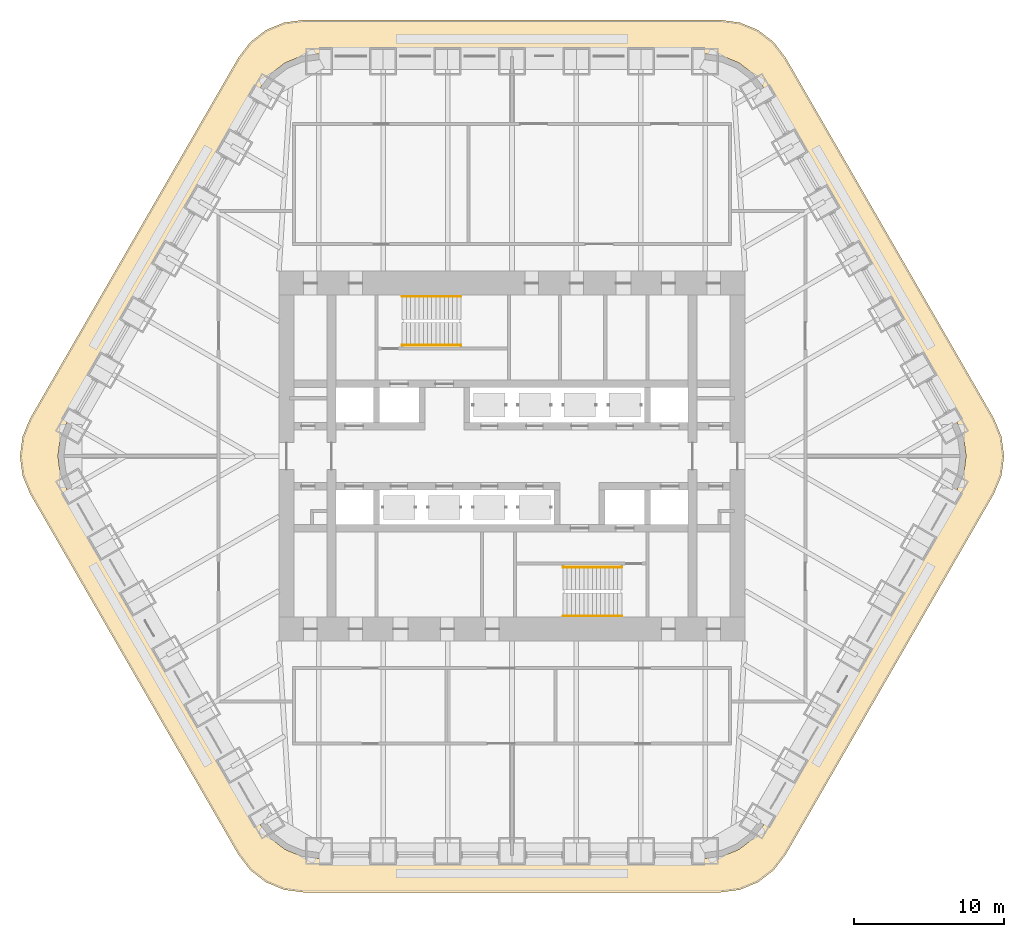
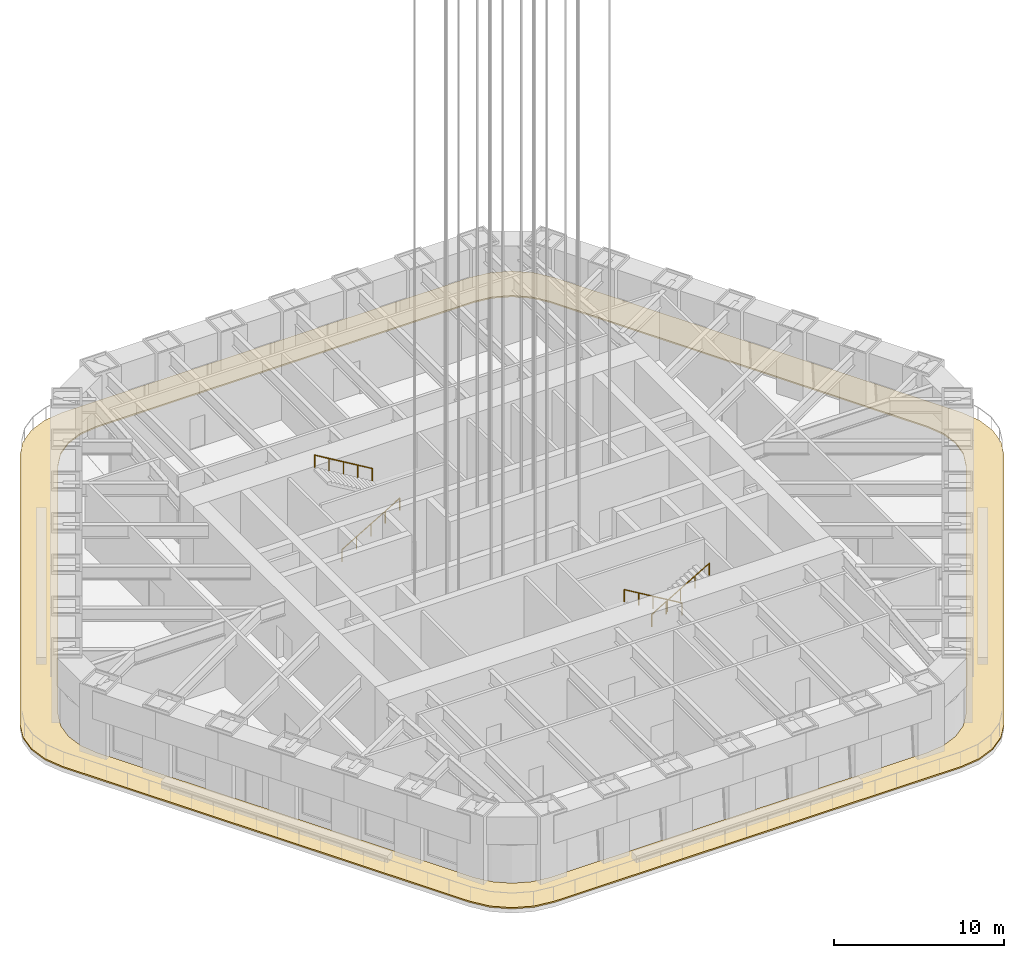
# One storey, part 12 of 14: 4 railings, 1 covering.
"""IFC4 building model written with IfcOpenShell, lengths in metres."""

from ifc_helpers import new_model, si_unit, direction, frame, origin, origin_2d, place, context, subcontext, project, spatial, polyline, circle, outline, extrude, material, layer, layer_set, type_object, element, save


model = new_model("IFC4")

# Units and contexts
model_context = context("Model", 3, precision=1e-05, world=origin(), true_north=direction((0.0, 1.0)))
body_context = subcontext(model_context, "Body", "Model", "MODEL_VIEW")
ifc_project = project(units=[si_unit("LENGTHUNIT", "METRE"), si_unit("AREAUNIT", "SQUARE_METRE"), si_unit("VOLUMEUNIT", "CUBIC_METRE"), si_unit("PLANEANGLEUNIT", "RADIAN"), si_unit("MASSUNIT", "GRAM", prefix="KILO")], contexts=[model_context])

# Site, building, storey
site_placement = place(None, origin())
site = spatial("IfcSite", under=ifc_project, at=site_placement, CompositionType="ELEMENT")
building_placement = place(site_placement, origin())
building = spatial("IfcBuilding", under=site, at=building_placement, Name="Tarfa Lantern Tower", CompositionType="ELEMENT")
storey_placement = place(building_placement, frame((0.0, 0.0, 306.5)))
storey = spatial("IfcBuildingStorey", under=building, at=storey_placement, Name="L69", CompositionType="ELEMENT", Elevation=306.5)

# Railings
ifc_material_1 = material(Name="Stainless steel", Category="steel")
railing_type = type_object("IfcRailingType", Name="HR1 HANDRAIL 900", PredefinedType="HANDRAIL", material=ifc_material_1)
railing_1_placement = place(storey_placement, frame((-7.300048828125, 7.3798828125, 0.166748046875)))
element("IfcRailing", 1, at=railing_1_placement, inside=storey, type_object=railing_type, Name="Handrail 1", PredefinedType="HANDRAIL", context=body_context, shape_type="SweptSolid", body=[
    extrude(circle(Radius=0.02392578125, at=origin_2d()), frame((0.0, 0.0, 0.8759765625), z_axis=(0.859310244771, 0.0, 0.511454693235), x_axis=(0.0, 1.0, 0.0)), (0.0, 0.0, 1.0), 4.56201171875),
    extrude(circle(Radius=0.02099609375, at=origin_2d()), frame((0.0, 0.0, 0.0), z_axis=(0.0, 0.0, 1.0), x_axis=(0.0, 1.0, 0.0)), (0.0, 0.0, 1.0), 0.851806640625),
    extrude(circle(Radius=0.02099609375, at=origin_2d()), frame((0.97998046875, 0.0, 0.583251953125), z_axis=(0.0, 0.0, 1.0), x_axis=(0.0, 1.0, 0.0)), (0.0, 0.0, 1.0), 0.851806640625),
    extrude(circle(Radius=0.02099609375, at=origin_2d()), frame((1.9599609375, 0.0, 1.16650390625), z_axis=(0.0, 0.0, 1.0), x_axis=(0.0, 1.0, 0.0)), (0.0, 0.0, 1.0), 0.851806640625),
    extrude(circle(Radius=0.02099609375, at=origin_2d()), frame((2.940185546875, 0.0, 1.75), z_axis=(0.0, 0.0, 1.0), x_axis=(0.0, 1.0, 0.0)), (0.0, 0.0, 1.0), 0.851806640625),
    extrude(circle(Radius=0.02099609375, at=origin_2d()), frame((3.920166015625, 0.0, 2.333251953125), z_axis=(0.0, 0.0, 1.0), x_axis=(0.0, 1.0, 0.0)), (0.0, 0.0, 1.0), 0.851806640625),
])
for number, where, name in (
    (2, (-3.3798828125, 10.6201171875, 2.666748046875), "Handrail 2"),
    (3, (7.300048828125, -7.3798828125, 0.166748046875), "Handrail 1"),
):
    element("IfcRailing", number, at=place(storey_placement, frame(where)), inside=storey, type_object=railing_type, Name=name, PredefinedType="HANDRAIL", context=body_context, shape_type="SweptSolid", body=[
        extrude(circle(Radius=0.02392578125, at=origin_2d()), frame((0.0, 0.0, 0.8759765625), z_axis=(-0.859310244771, 0.0, 0.511454693235), x_axis=(0.0, -1.0, 0.0)), (0.0, 0.0, 1.0), 4.56201171875),
        extrude(circle(Radius=0.02099609375, at=origin_2d()), frame((0.0, 0.0, 0.0), z_axis=(0.0, 0.0, 1.0), x_axis=(0.0, -1.0, 0.0)), (0.0, 0.0, 1.0), 0.851806640625),
        extrude(circle(Radius=0.02099609375, at=origin_2d()), frame((-0.97998046875, 0.0, 0.583251953125), z_axis=(0.0, 0.0, 1.0), x_axis=(0.0, -1.0, 0.0)), (0.0, 0.0, 1.0), 0.851806640625),
        extrude(circle(Radius=0.02099609375, at=origin_2d()), frame((-1.9599609375, 0.0, 1.16650390625), z_axis=(0.0, 0.0, 1.0), x_axis=(0.0, -1.0, 0.0)), (0.0, 0.0, 1.0), 0.851806640625),
        extrude(circle(Radius=0.02099609375, at=origin_2d()), frame((-2.940185546875, 0.0, 1.75), z_axis=(0.0, 0.0, 1.0), x_axis=(0.0, -1.0, 0.0)), (0.0, 0.0, 1.0), 0.851806640625),
        extrude(circle(Radius=0.02099609375, at=origin_2d()), frame((-3.920166015625, 0.0, 2.333251953125), z_axis=(0.0, 0.0, 1.0), x_axis=(0.0, -1.0, 0.0)), (0.0, 0.0, 1.0), 0.851806640625),
    ])
railing_2_placement = place(storey_placement, frame((3.3798828125, -10.6201171875, 2.666748046875)))
element("IfcRailing", 4, at=railing_2_placement, inside=storey, type_object=railing_type, Name="Handrail 2", PredefinedType="HANDRAIL", context=body_context, shape_type="SweptSolid", body=[
    extrude(circle(Radius=0.02392578125, at=origin_2d()), frame((0.0, 0.0, 0.8759765625), z_axis=(0.859310244771, 0.0, 0.511454693235), x_axis=(0.0, 1.0, 0.0)), (0.0, 0.0, 1.0), 4.56201171875),
    extrude(circle(Radius=0.02099609375, at=origin_2d()), frame((0.0, 0.0, 0.0), z_axis=(0.0, 0.0, 1.0), x_axis=(0.0, 1.0, 0.0)), (0.0, 0.0, 1.0), 0.851806640625),
    extrude(circle(Radius=0.02099609375, at=origin_2d()), frame((0.97998046875, 0.0, 0.583251953125), z_axis=(0.0, 0.0, 1.0), x_axis=(0.0, 1.0, 0.0)), (0.0, 0.0, 1.0), 0.851806640625),
    extrude(circle(Radius=0.02099609375, at=origin_2d()), frame((1.9599609375, 0.0, 1.16650390625), z_axis=(0.0, 0.0, 1.0), x_axis=(0.0, 1.0, 0.0)), (0.0, 0.0, 1.0), 0.851806640625),
    extrude(circle(Radius=0.02099609375, at=origin_2d()), frame((2.940185546875, 0.0, 1.75), z_axis=(0.0, 0.0, 1.0), x_axis=(0.0, 1.0, 0.0)), (0.0, 0.0, 1.0), 0.851806640625),
    extrude(circle(Radius=0.02099609375, at=origin_2d()), frame((3.920166015625, 0.0, 2.333251953125), z_axis=(0.0, 0.0, 1.0), x_axis=(0.0, 1.0, 0.0)), (0.0, 0.0, 1.0), 0.851806640625),
])

# Covering
ifc_material_2 = material(Name="Bituminous membrane, insulation and concrete pavers", Category="concrete")
ifc_layer = layer(ifc_material_2, 0.10009765625)
ifc_layer_set = layer_set([ifc_layer], Name="RF1 ROOF MEMBRANE AND PAVERS 100")
covering_type = type_object("IfcCoveringType", Name="RF1 ROOF MEMBRANE AND PAVERS 100", PredefinedType="ROOFING", material=ifc_layer_set)
covering_placement = place(storey_placement, origin())
element("IfcCovering", 5, at=covering_placement, inside=storey, type_object=covering_type, Name="Roofing Sky garden terrace L69", PredefinedType="ROOFING", context=body_context, shape_type="SweptSolid", body=[
    extrude(outline(polyline([(32.04296875, 2.5), (18.1865234375, 26.5), (17.391845703125, 27.53564453125), (16.3564453125, 28.330078125), (15.150390625, 28.82958984375), (13.8564453125, 29.0), (-13.8564453125, 29.0), (-15.150390625, 28.82958984375), (-16.3564453125, 28.330078125), (-17.391845703125, 27.53564453125), (-18.1865234375, 26.5), (-32.04296875, 2.5), (-32.54248046875, 1.294189453125), (-32.712890625, 0.0), (-32.54248046875, -1.294189453125), (-32.04296875, -2.5), (-18.1865234375, -26.5), (-17.391845703125, -27.53564453125), (-16.3564453125, -28.330078125), (-15.150390625, -28.82958984375), (-13.8564453125, -29.0), (13.8564453125, -29.0), (15.150390625, -28.82958984375), (16.3564453125, -28.330078125), (17.391845703125, -27.53564453125), (18.1865234375, -26.5), (32.04296875, -2.5), (32.54248046875, -1.294189453125), (32.712890625, 0.0), (32.54248046875, 1.294189453125), (32.04296875, 2.5)]), holes=[polyline([(29.589111328125, 2.25), (16.7431640625, 24.5), (16.028076171875, 25.431884765625), (15.095947265625, 26.147216796875), (14.0107421875, 26.5966796875), (12.845947265625, 26.75), (-12.845947265625, 26.75), (-14.0107421875, 26.5966796875), (-15.095947265625, 26.147216796875), (-16.028076171875, 25.431884765625), (-16.7431640625, 24.5), (-29.589111328125, 2.25), (-30.038818359375, 1.164794921875), (-30.192138671875, 0.0), (-30.038818359375, -1.164794921875), (-29.589111328125, -2.25), (-16.7431640625, -24.5), (-16.028076171875, -25.431884765625), (-15.095947265625, -26.147216796875), (-14.0107421875, -26.5966796875), (-12.845947265625, -26.75), (12.845947265625, -26.75), (14.0107421875, -26.5966796875), (15.095947265625, -26.147216796875), (16.028076171875, -25.431884765625), (16.7431640625, -24.5), (29.589111328125, -2.25), (30.038818359375, -1.164794921875), (30.192138671875, 0.0), (30.038818359375, 1.164794921875), (29.589111328125, 2.25)])]), origin(), (0.0, 0.0, 1.0), 0.10009765625),
])

save(model, "model.ifc")
